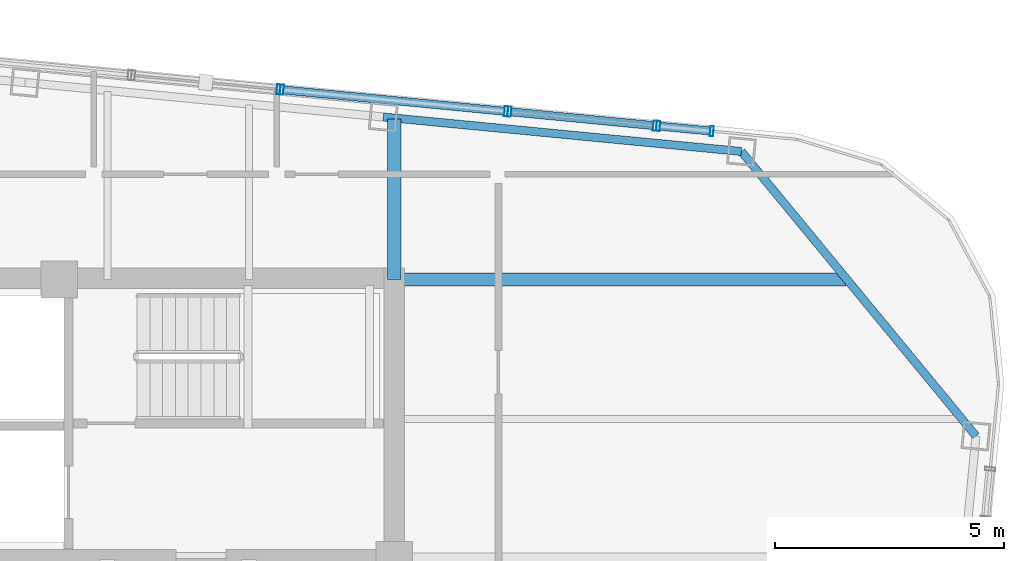
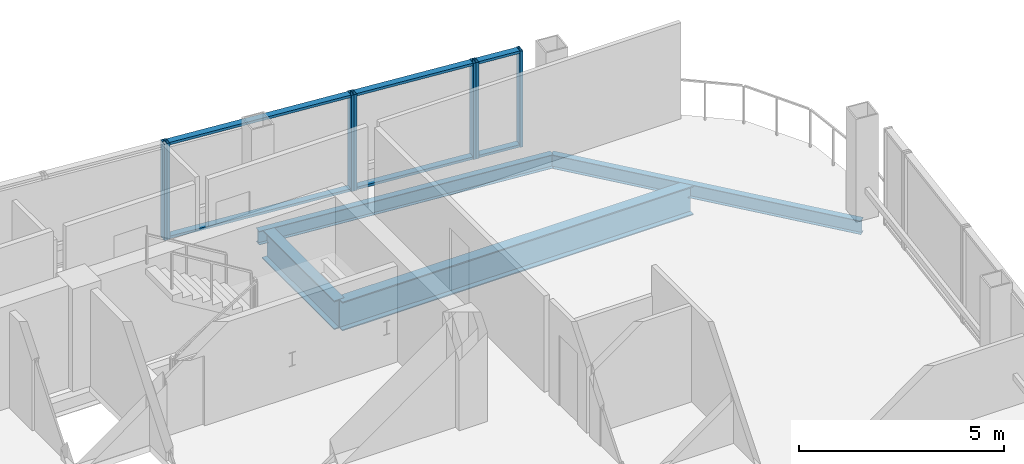
# One storey, part 19 of 27: 13 members, 4 beams, 4 elements without a shape of their own.
"""IFC4 building model written with IfcOpenShell, lengths in metres."""

from ifc_helpers import new_model, si_unit, direction, frame, origin, origin_2d, place, context, subcontext, project, spatial, hollow_rectangle, i_section, extrude, material, layer, layer_set, material_profile, profile_set, type_object, element, aggregate, save


model = new_model("IFC4")

# Units and contexts
model_context = context("Model", 3, precision=1e-05, world=origin(), true_north=direction((0.0, 1.0)))
body_context = subcontext(model_context, "Body", "Model", "MODEL_VIEW")
ifc_project = project(units=[si_unit("LENGTHUNIT", "METRE"), si_unit("AREAUNIT", "SQUARE_METRE"), si_unit("VOLUMEUNIT", "CUBIC_METRE"), si_unit("PLANEANGLEUNIT", "RADIAN"), si_unit("MASSUNIT", "GRAM", prefix="KILO")], contexts=[model_context])

# Site, building, storey
site_placement = place(None, origin())
site = spatial("IfcSite", under=ifc_project, at=site_placement, CompositionType="ELEMENT")
building_placement = place(site_placement, origin())
building = spatial("IfcBuilding", under=site, at=building_placement, Name="Qhalaya Broadcast Tower", CompositionType="ELEMENT")
storey_placement = place(building_placement, frame((0.0, 0.0, 258.10009765625)))
storey = spatial("IfcBuildingStorey", under=building, at=storey_placement, Name="L76", CompositionType="ELEMENT", Elevation=258.10009765625)

# Curtain wall, members
ifc_material_1 = material(Name="Fired Architectural Terracotta", Category="masonry")
ifc_layer_1 = layer(ifc_material_1, 0.219970703125, Name="Fired Architectural Terracotta")
ifc_layer_set_1 = layer_set([ifc_layer_1], Name="Fired Architectural Terracotta")
curtain_wall_type_1 = type_object("IfcCurtainWallType", Name="Block-Cap Unitised Terracotta Spandrel Wall CW-07", PredefinedType="NOTDEFINED", material=ifc_layer_set_1)
curtain_wall_1_placement = place(storey_placement, origin())
curtain_wall_1 = element("IfcCurtainWall", 1, at=curtain_wall_1_placement, inside=storey, type_object=curtain_wall_type_1, Name="L76 Unitised Curtain Wall L76-CW-N1", PredefinedType="NOTDEFINED")
ifc_material_2 = material(Name="Anodised Aluminium 6063-T6", Category="aluminium")
ifc_material_profile_1 = material_profile(ifc_material_2, hollow_rectangle(XDim=0.074951171875, YDim=0.219970703125, WallThickness=0.00390625, at=origin_2d()), Name="ALU-MUL 75x220x4")
ifc_profile_set_1 = profile_set([ifc_material_profile_1], Name="Anodised Aluminium 6063-T6")
member_type_1 = type_object("IfcMemberType", Name="Unitised Curtain-Wall Mullion M01", PredefinedType="MULLION", material=ifc_profile_set_1)
member_1_placement = place(storey_placement, frame((16.315185546875, 13.192626953125, 0.0), z_axis=(0.0, 0.0, 1.0), x_axis=(-0.995396414656, 0.095843506251, 0.0)))
member_1 = element("IfcMember", 2, at=member_1_placement, type_object=member_type_1, Name="CW-07 mullion 1", PredefinedType="MULLION", context=body_context, shape_type="SweptSolid", body=[
    extrude(hollow_rectangle(XDim=0.074951171875, YDim=0.219970703125, WallThickness=0.00390625, at=origin_2d()), origin(), (0.0, 0.0, 1.0), 2.85986328125),
])
member_2_placement = place(storey_placement, frame((15.1455078125, 13.30517578125, 0.0), z_axis=(0.0, 0.0, 1.0), x_axis=(-0.995396414656, 0.095843506251, 0.0)))
member_2 = element("IfcMember", 3, at=member_2_placement, type_object=member_type_1, Name="CW-07 mullion 2", PredefinedType="MULLION", context=body_context, shape_type="SweptSolid", body=[
    extrude(hollow_rectangle(XDim=0.074951171875, YDim=0.219970703125, WallThickness=0.00390625, at=origin_2d()), origin(), (0.0, 0.0, 1.0), 2.85986328125),
])

ifc_material_3 = material(Name="Solar-Control Low-E Triple Glazing", Category="glass")
ifc_layer_2 = layer(ifc_material_3, 0.219970703125, Name="Solar-Control Low-E Triple Glazing")
ifc_layer_set_2 = layer_set([ifc_layer_2], Name="Solar-Control Low-E Triple Glazing")
curtain_wall_type_2 = type_object("IfcCurtainWallType", Name="High-Altitude Upper-Shaft Triple Low-E Curtain Wall CW-04", PredefinedType="NOTDEFINED", material=ifc_layer_set_2)
curtain_wall_2_placement = place(storey_placement, origin())
curtain_wall_2 = element("IfcCurtainWall", 4, at=curtain_wall_2_placement, inside=storey, type_object=curtain_wall_type_2, Name="L76 Unitised Curtain Wall L76-CW-N2", PredefinedType="NOTDEFINED")
member_3_placement = place(storey_placement, frame((15.07080078125, 13.3125, 0.0), z_axis=(0.0, 0.0, 1.0), x_axis=(-0.99539724102, 0.095834923543, 0.0)))
member_3 = element("IfcMember", 5, at=member_3_placement, type_object=member_type_1, Name="CW-04 mullion 1", PredefinedType="MULLION", context=body_context, shape_type="SweptSolid", body=[
    extrude(hollow_rectangle(XDim=0.074951171875, YDim=0.219970703125, WallThickness=0.00390625, at=origin_2d()), origin(), (0.0, 0.0, 1.0), 2.85986328125),
])
member_4_placement = place(storey_placement, frame((11.89453125, 13.6181640625, 0.0), z_axis=(0.0, 0.0, 1.0), x_axis=(-0.99539724102, 0.095834923543, 0.0)))
member_4 = element("IfcMember", 6, at=member_4_placement, type_object=member_type_1, Name="CW-04 mullion 2", PredefinedType="MULLION", context=body_context, shape_type="SweptSolid", body=[
    extrude(hollow_rectangle(XDim=0.074951171875, YDim=0.219970703125, WallThickness=0.00390625, at=origin_2d()), origin(), (0.0, 0.0, 1.0), 2.85986328125),
])

curtain_wall_3_placement = place(storey_placement, origin())
curtain_wall_3 = element("IfcCurtainWall", 7, at=curtain_wall_3_placement, inside=storey, type_object=curtain_wall_type_1, Name="L76 Unitised Curtain Wall L76-CW-N3", PredefinedType="NOTDEFINED")
member_5_placement = place(storey_placement, frame((11.81982421875, 13.62548828125, 0.0), z_axis=(0.0, 0.0, 1.0), x_axis=(-0.995394803391, 0.095860238798, 0.0)))
member_5 = element("IfcMember", 8, at=member_5_placement, type_object=member_type_1, Name="CW-07 mullion 1", PredefinedType="MULLION", context=body_context, shape_type="SweptSolid", body=[
    extrude(hollow_rectangle(XDim=0.074951171875, YDim=0.219970703125, WallThickness=0.00390625, at=origin_2d()), origin(), (0.0, 0.0, 1.0), 2.85986328125),
])
member_6_placement = place(storey_placement, frame((6.91650390625, 14.09765625, 0.0), z_axis=(0.0, 0.0, 1.0), x_axis=(-0.995394803391, 0.095860238798, 0.0)))
member_6 = element("IfcMember", 9, at=member_6_placement, type_object=member_type_1, Name="CW-07 mullion 2", PredefinedType="MULLION", context=body_context, shape_type="SweptSolid", body=[
    extrude(hollow_rectangle(XDim=0.074951171875, YDim=0.219970703125, WallThickness=0.00390625, at=origin_2d()), origin(), (0.0, 0.0, 1.0), 2.85986328125),
])

# Curtain wall, member
curtain_wall_4_placement = place(storey_placement, origin())
curtain_wall_4 = element("IfcCurtainWall", 10, at=curtain_wall_4_placement, inside=storey, type_object=curtain_wall_type_2, Name="L76 Unitised Curtain Wall L76-CW-N4", PredefinedType="NOTDEFINED")
member_7_placement = place(storey_placement, frame((6.841796875, 14.104736328125, 0.0), z_axis=(0.0, 0.0, 1.0), x_axis=(-0.995396959799, 0.095837844424, 0.0)))
member_7 = element("IfcMember", 11, at=member_7_placement, type_object=member_type_1, Name="CW-04 mullion 1", PredefinedType="MULLION", context=body_context, shape_type="SweptSolid", body=[
    extrude(hollow_rectangle(XDim=0.074951171875, YDim=0.219970703125, WallThickness=0.00390625, at=origin_2d()), origin(), (0.0, 0.0, 1.0), 2.85986328125),
])
aggregate(curtain_wall_4, [member_7])

# Member
ifc_material_profile_2 = material_profile(ifc_material_2, hollow_rectangle(XDim=0.074951171875, YDim=0.179931640625, WallThickness=0.00390625, at=origin_2d()), Name="ALU-TRN 75x180x4")
ifc_profile_set_2 = profile_set([ifc_material_profile_2], Name="Anodised Aluminium 6063-T6")
member_type_2 = type_object("IfcMemberType", Name="Unitised Curtain-Wall Transom T01", PredefinedType="USERDEFINED", material=ifc_profile_set_2)
member_8_placement = place(storey_placement, frame((16.27783203125, 13.1962890625, 0.037353515625), z_axis=(-0.995414313875, 0.095657429048, 0.0), x_axis=(0.0, 0.0, 1.0)))
member_8 = element("IfcMember", 12, at=member_8_placement, type_object=member_type_2, Name="CW-07 transom 1.1", ObjectType="TRANSOM", PredefinedType="USERDEFINED", context=body_context, shape_type="SweptSolid", body=[
    extrude(hollow_rectangle(XDim=0.074951171875, YDim=0.179931640625, WallThickness=0.00390625, at=origin_2d()), origin(), (0.0, 0.0, 1.0), 1.10009765625),
])

member_9_placement = place(storey_placement, frame((16.27783203125, 13.1962890625, 2.822509765625), z_axis=(-0.995414313875, 0.095657429048, 0.0), x_axis=(0.0, 0.0, 1.0)))
member_9 = element("IfcMember", 13, at=member_9_placement, type_object=member_type_2, Name="CW-07 transom 1.2", ObjectType="TRANSOM", PredefinedType="USERDEFINED", context=body_context, shape_type="SweptSolid", body=[
    extrude(hollow_rectangle(XDim=0.074951171875, YDim=0.179931640625, WallThickness=0.00390625, at=origin_2d()), origin(), (0.0, 0.0, 1.0), 1.10009765625),
])

aggregate(curtain_wall_1, [member_1, member_2, member_8, member_9])

member_10_placement = place(storey_placement, frame((15.033447265625, 13.31591796875, 0.037353515625), z_axis=(-0.995398112341, 0.095825873063, 0.0), x_axis=(0.0, 0.0, 1.0)))
member_10 = element("IfcMember", 14, at=member_10_placement, type_object=member_type_2, Name="CW-04 transom 1.1", ObjectType="TRANSOM", PredefinedType="USERDEFINED", context=body_context, shape_type="SweptSolid", body=[
    extrude(hollow_rectangle(XDim=0.074951171875, YDim=0.179931640625, WallThickness=0.00390625, at=origin_2d()), origin(), (0.0, 0.0, 1.0), 3.115966796875),
])

member_11_placement = place(storey_placement, frame((15.033447265625, 13.31591796875, 2.822509765625), z_axis=(-0.995398112341, 0.095825873063, 0.0), x_axis=(0.0, 0.0, 1.0)))
member_11 = element("IfcMember", 15, at=member_11_placement, type_object=member_type_2, Name="CW-04 transom 1.2", ObjectType="TRANSOM", PredefinedType="USERDEFINED", context=body_context, shape_type="SweptSolid", body=[
    extrude(hollow_rectangle(XDim=0.074951171875, YDim=0.179931640625, WallThickness=0.00390625, at=origin_2d()), origin(), (0.0, 0.0, 1.0), 3.115966796875),
])

aggregate(curtain_wall_2, [member_3, member_4, member_10, member_11])

member_12_placement = place(storey_placement, frame((11.782470703125, 13.62890625, 0.037353515625), z_axis=(-0.995393340021, 0.095875432943, 0.0), x_axis=(0.0, 0.0, 1.0)))
member_12 = element("IfcMember", 16, at=member_12_placement, type_object=member_type_2, Name="CW-07 transom 1.1", ObjectType="TRANSOM", PredefinedType="USERDEFINED", context=body_context, shape_type="SweptSolid", body=[
    extrude(hollow_rectangle(XDim=0.074951171875, YDim=0.179931640625, WallThickness=0.00390625, at=origin_2d()), origin(), (0.0, 0.0, 1.0), 4.85107421875),
])

member_13_placement = place(storey_placement, frame((11.782470703125, 13.62890625, 2.822509765625), z_axis=(-0.995393340021, 0.095875432943, 0.0), x_axis=(0.0, 0.0, 1.0)))
member_13 = element("IfcMember", 17, at=member_13_placement, type_object=member_type_2, Name="CW-07 transom 1.2", ObjectType="TRANSOM", PredefinedType="USERDEFINED", context=body_context, shape_type="SweptSolid", body=[
    extrude(hollow_rectangle(XDim=0.074951171875, YDim=0.179931640625, WallThickness=0.00390625, at=origin_2d()), origin(), (0.0, 0.0, 1.0), 4.85107421875),
])

aggregate(curtain_wall_3, [member_5, member_6, member_12, member_13])

# Beams
ifc_material_4 = material(Name="Structural Steel ASTM A992 Grade 50", Category="steel")
ifc_material_profile_3 = material_profile(ifc_material_4, i_section(OverallWidth=0.2919921875, OverallDepth=0.85888671875, WebThickness=0.01708984375, FlangeThickness=0.031005859375, at=origin_2d()), Name="W33X169")
ifc_profile_set_3 = profile_set([ifc_material_profile_3], Name="Structural Steel ASTM A992 Grade 50")
beam_type_1 = type_object("IfcBeamType", Name="Upper Block Primary Girder PG4", PredefinedType="USERDEFINED", material=ifc_profile_set_3)
beam_1_placement = place(storey_placement, frame((9.375, 9.949951171875, -0.61962890625), z_axis=(0.0, 1.0, 0.0), x_axis=(-1.0, 0.0, 0.0)))
element("IfcBeam", 18, at=beam_1_placement, inside=storey, type_object=beam_type_1, Name="L76 PG4 L76-PGXN2-1", ObjectType="GIRDER", PredefinedType="USERDEFINED", context=body_context, shape_type="SweptSolid", body=[
    extrude(i_section(OverallWidth=0.2919921875, OverallDepth=0.85888671875, WebThickness=0.01708984375, FlangeThickness=0.031005859375, at=origin_2d()), origin(), (0.0, 0.0, 1.0), 3.509033203125),
])
beam_2_placement = place(storey_placement, frame((9.375, 9.949951171875, -0.61962890625), z_axis=(1.0, 0.0, 0.0), x_axis=(0.0, 1.0, 0.0)))
element("IfcBeam", 19, at=beam_2_placement, inside=storey, type_object=beam_type_1, Name="L76 PG4 L76-PGYE4-1", ObjectType="GIRDER", PredefinedType="USERDEFINED", context=body_context, shape_type="SweptSolid", body=[
    extrude(i_section(OverallWidth=0.2919921875, OverallDepth=0.85888671875, WebThickness=0.01708984375, FlangeThickness=0.031005859375, at=origin_2d()), origin(), (0.0, 0.0, 1.0), 9.868896484375),
])
ifc_material_profile_4 = material_profile(ifc_material_4, i_section(OverallWidth=0.177978515625, OverallDepth=0.406005859375, WebThickness=0.0078125, FlangeThickness=0.0126953125, at=origin_2d()), Name="W16X40")
ifc_profile_set_4 = profile_set([ifc_material_profile_4], Name="Structural Steel ASTM A992 Grade 50")
beam_type_2 = type_object("IfcBeamType", Name="Upper Perimeter Spandrel Beam SP2", PredefinedType="SPANDREL", material=ifc_profile_set_4)
beam_3_placement = place(storey_placement, frame((22.09033203125, 6.5283203125, -0.39306640625), z_axis=(-0.636070241972, 0.771631160126, 0.0), x_axis=(-0.771631160126, -0.636070241972, 0.0)))
element("IfcBeam", 20, at=beam_3_placement, inside=storey, type_object=beam_type_2, Name="L76 SP2 L76-SPR-08", PredefinedType="SPANDREL", context=body_context, shape_type="SweptSolid", body=[
    extrude(i_section(OverallWidth=0.177978515625, OverallDepth=0.406005859375, WebThickness=0.0078125, FlangeThickness=0.0126953125, at=origin_2d()), origin(), (0.0, 0.0, 1.0), 8.06103515625),
])
beam_4_placement = place(storey_placement, frame((16.962890625, 12.74853515625, -0.39306640625), z_axis=(-0.995397023367, 0.095837184179, 0.0), x_axis=(-0.095837184179, -0.995397023367, 0.0)))
element("IfcBeam", 21, at=beam_4_placement, inside=storey, type_object=beam_type_2, Name="L76 SP2 L76-SPR-09", PredefinedType="SPANDREL", context=body_context, shape_type="SweptSolid", body=[
    extrude(i_section(OverallWidth=0.177978515625, OverallDepth=0.406005859375, WebThickness=0.0078125, FlangeThickness=0.0126953125, at=origin_2d()), origin(), (0.0, 0.0, 1.0), 7.866455078125),
])

save(model, "model.ifc")
